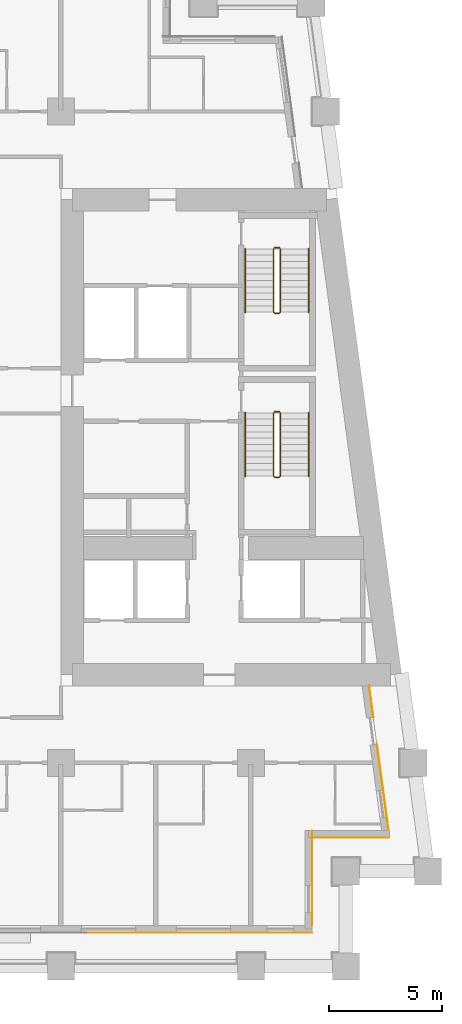
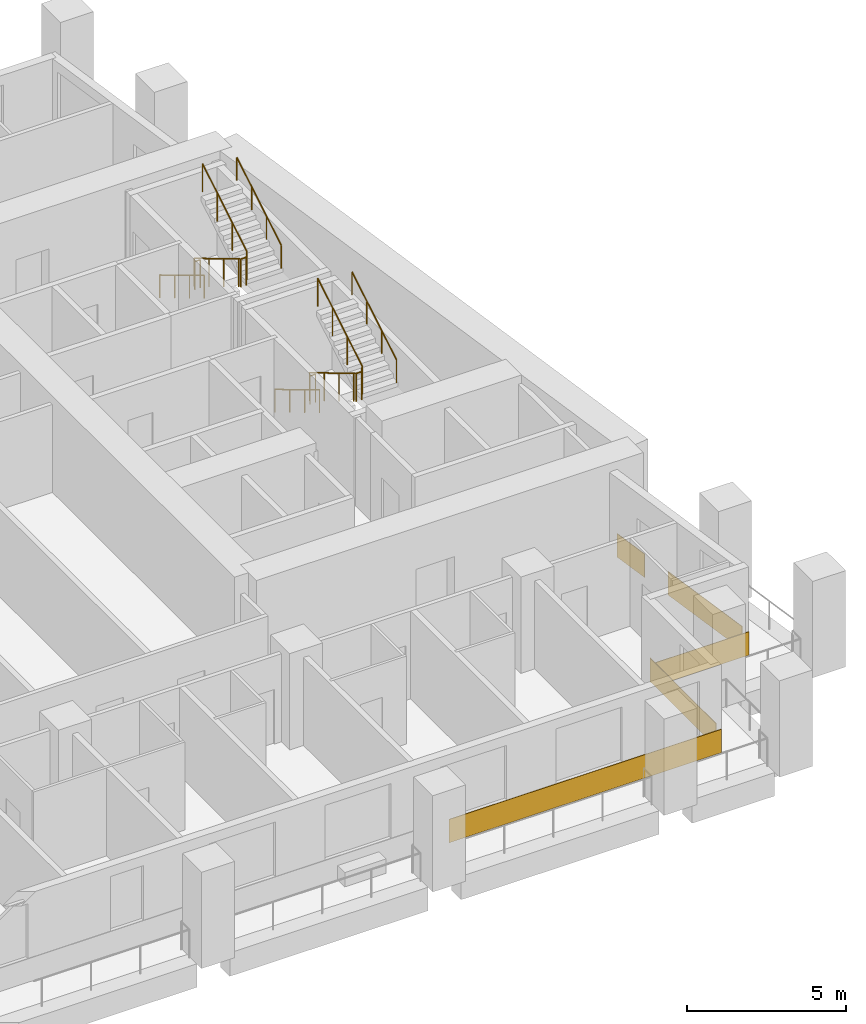
# One storey, part 12 of 14: 8 railings, 5 coverings.
"""IFC4 building model written with IfcOpenShell, lengths in metres."""

from ifc_helpers import new_model, si_unit, direction, frame, origin, origin_2d, place, context, subcontext, project, spatial, rectangle, circle, extrude, material, layer, layer_set, type_object, element, save


model = new_model("IFC4")

# Units and contexts
model_context = context("Model", 3, precision=1e-05, world=origin(), true_north=direction((0.0, 1.0)))
body_context = subcontext(model_context, "Body", "Model", "MODEL_VIEW")
ifc_project = project(units=[si_unit("LENGTHUNIT", "METRE"), si_unit("AREAUNIT", "SQUARE_METRE"), si_unit("VOLUMEUNIT", "CUBIC_METRE"), si_unit("PLANEANGLEUNIT", "RADIAN"), si_unit("MASSUNIT", "GRAM", prefix="KILO")], contexts=[model_context])

# Site, building, storey
site_placement = place(None, origin())
site = spatial("IfcSite", under=ifc_project, at=site_placement, CompositionType="ELEMENT")
building_placement = place(site_placement, origin())
building = spatial("IfcBuilding", under=site, at=building_placement, Name="Candeia Pilgrim Tower and Theatre", CompositionType="ELEMENT")
storey_placement = place(building_placement, frame((0.0, 0.0, 116.89990234375)))
storey = spatial("IfcBuildingStorey", under=building, at=storey_placement, Name="L27", CompositionType="ELEMENT", Elevation=116.89990234375)

# Coverings
ifc_material_1 = material(Name="Glazed ceramic tile red")
ifc_layer = layer(ifc_material_1, 0.02001953125)
ifc_layer_set = layer_set([ifc_layer], Name="Glazed ceramic tile red")
covering_type = type_object("IfcCoveringType", Name="Glazed ceramic tile red", PredefinedType="CLADDING", material=ifc_layer_set)
covering_1_placement = place(storey_placement, frame((132.14990234375, 99.489990234375, 0.000244140625), z_axis=(0.0, 0.0, 1.0), x_axis=(1.0, 0.0, 0.0)))
element("IfcCovering", 1, at=covering_1_placement, inside=storey, type_object=covering_type, Name="Tile cladding red L27", PredefinedType="CLADDING", context=body_context, shape_type="SweptSolid", body=[
    extrude(rectangle(XDim=9.89990234375, YDim=0.02001953125, at=origin_2d()), origin(), (0.0, 0.0, 1.0), 0.89990234375),
])
covering_2_placement = place(storey_placement, frame((137.110107421875, 101.909912109375, 0.000244140625), z_axis=(0.0, 0.0, 1.0), x_axis=(0.0, 1.0, 0.0)))
element("IfcCovering", 2, at=covering_2_placement, inside=storey, type_object=covering_type, Name="Tile cladding red L27", PredefinedType="CLADDING", context=body_context, shape_type="SweptSolid", body=[
    extrude(rectangle(XDim=4.179931640625, YDim=0.02001953125, at=origin_2d()), origin(), (0.0, 0.0, 1.0), 0.89990234375),
])
covering_3_placement = place(storey_placement, frame((138.819580078125, 103.68994140625, 0.000244140625), z_axis=(0.0, 0.0, 1.0), x_axis=(1.0, 0.0, 0.0)))
element("IfcCovering", 3, at=covering_3_placement, inside=storey, type_object=covering_type, Name="Tile cladding red L27", PredefinedType="CLADDING", context=body_context, shape_type="SweptSolid", body=[
    extrude(rectangle(XDim=3.399169921875, YDim=0.02001953125, at=origin_2d()), origin(), (0.0, 0.0, 1.0), 0.89990234375),
])
covering_4_placement = place(storey_placement, frame((140.228515625, 105.933349609375, 0.000244140625), z_axis=(0.0, 0.0, 1.0), x_axis=(-0.133412012145, 0.991060661622, 0.0)))
element("IfcCovering", 4, at=covering_4_placement, inside=storey, type_object=covering_type, Name="Tile cladding red L27", PredefinedType="CLADDING", context=body_context, shape_type="SweptSolid", body=[
    extrude(rectangle(XDim=3.821044921875, YDim=0.02001953125, at=origin_2d()), origin(), (0.0, 0.0, 1.0), 0.89990234375),
])
covering_5_placement = place(storey_placement, frame((139.718994140625, 109.71875, 0.000244140625), z_axis=(0.0, 0.0, 1.0), x_axis=(-0.133412012145, 0.991060661622, 0.0)))
element("IfcCovering", 5, at=covering_5_placement, inside=storey, type_object=covering_type, Name="Tile cladding red L27", PredefinedType="CLADDING", context=body_context, shape_type="SweptSolid", body=[
    extrude(rectangle(XDim=1.41796875, YDim=0.02001953125, at=origin_2d()), origin(), (0.0, 0.0, 1.0), 0.89990234375),
])

# Railings
ifc_material_2 = material(Name="Stainless steel balustrade", Category="steel")
railing_type_1 = type_object("IfcRailingType", Name="RL-GUARD-1100", PredefinedType="GUARDRAIL", material=ifc_material_2)
railing_1_placement = place(storey_placement, frame((135.39794921875, 122.47509765625, 0.168212890625)))
element("IfcRailing", 6, at=railing_1_placement, inside=storey, type_object=railing_type_1, Name="L27 ST3 stair guard 1", PredefinedType="GUARDRAIL", context=body_context, shape_type="SweptSolid", body=[
    extrude(circle(Radius=0.02392578125, at=origin_2d()), frame((0.0, 0.0, 1.076171875), z_axis=(0.0, -0.857242210791, 0.514913383045), x_axis=(1.0, 0.0, 0.0)), (0.0, 0.0, 1.0), 3.266357421875),
    extrude(circle(Radius=0.02392578125, at=origin_2d()), frame((0.0, -2.800048828125, 2.7578125), z_axis=(0.707106781187, -0.707106781187, 0.0), x_axis=(0.707106781187, 0.707106781187, 0.0)), (0.0, 0.0, 1.0), 0.07080078125),
    extrude(circle(Radius=0.02392578125, at=origin_2d()), frame((0.050048828125, -2.85009765625, 2.7578125), z_axis=(1.0, 0.0, 0.0), x_axis=(0.0, 1.0, 0.0)), (0.0, 0.0, 1.0), 0.199951171875),
    extrude(circle(Radius=0.02392578125, at=origin_2d()), frame((0.25, -2.85009765625, 2.7578125), z_axis=(0.274243871929, 0.274243871929, 0.92172696468), x_axis=(-0.707106781187, 0.707106781187, 0.0)), (0.0, 0.0, 1.0), 0.1826171875),
    extrude(circle(Radius=0.02392578125, at=origin_2d()), frame((0.300048828125, -2.800048828125, 2.92626953125), z_axis=(0.0, 0.857242210791, 0.514913383045), x_axis=(-1.0, 0.0, 0.0)), (0.0, 0.0, 1.0), 3.266357421875),
    extrude(circle(Radius=0.02099609375, at=origin_2d()), origin(), (0.0, 0.0, 1.0), 1.052001953125),
    extrude(circle(Radius=0.02099609375, at=origin_2d()), frame((0.0, -0.933349609375, 0.560546875)), (0.0, 0.0, 1.0), 1.052001953125),
    extrude(circle(Radius=0.02099609375, at=origin_2d()), frame((0.0, -1.86669921875, 1.121337890625)), (0.0, 0.0, 1.0), 1.052001953125),
    extrude(circle(Radius=0.02099609375, at=origin_2d()), frame((0.0, -2.800048828125, 1.681884765625)), (0.0, 0.0, 1.0), 1.052001953125),
    extrude(circle(Radius=0.02099609375, at=origin_2d()), frame((0.050048828125, -2.85009765625, 1.681884765625)), (0.0, 0.0, 1.0), 1.052001953125),
    extrude(circle(Radius=0.02099609375, at=origin_2d()), frame((0.25, -2.85009765625, 1.681884765625)), (0.0, 0.0, 1.0), 1.052001953125),
    extrude(circle(Radius=0.02099609375, at=origin_2d()), frame((0.300048828125, -2.800048828125, 1.85009765625)), (0.0, 0.0, 1.0), 1.052001953125),
    extrude(circle(Radius=0.02099609375, at=origin_2d()), frame((0.300048828125, -1.86669921875, 2.41064453125)), (0.0, 0.0, 1.0), 1.052001953125),
    extrude(circle(Radius=0.02099609375, at=origin_2d()), frame((0.300048828125, -0.933349609375, 2.971435546875)), (0.0, 0.0, 1.0), 1.052001953125),
    extrude(circle(Radius=0.02099609375, at=origin_2d()), frame((0.300048828125, 0.0, 3.531982421875)), (0.0, 0.0, 1.0), 1.052001953125),
])
railing_2_placement = place(storey_placement, frame((135.447998046875, 122.52490234375, 0.0)))
element("IfcRailing", 7, at=railing_2_placement, inside=storey, type_object=railing_type_1, Name="L27 ST3 stair guard 2", PredefinedType="GUARDRAIL", context=body_context, shape_type="SweptSolid", body=[
    extrude(circle(Radius=0.02392578125, at=origin_2d()), frame((0.0, 0.0, 1.076171875), z_axis=(1.0, 0.0, 0.0), x_axis=(0.0, 1.0, 0.0)), (0.0, 0.0, 1.0), 0.199951171875),
    extrude(circle(Radius=0.02099609375, at=origin_2d()), origin(), (0.0, 0.0, 1.0), 1.052001953125),
    extrude(circle(Radius=0.02099609375, at=origin_2d()), frame((0.199951171875, 0.0, 0.0)), (0.0, 0.0, 1.0), 1.052001953125),
])
railing_3_placement = place(storey_placement, frame((135.39794921875, 129.72509765625, 0.168212890625)))
element("IfcRailing", 8, at=railing_3_placement, inside=storey, type_object=railing_type_1, Name="L27 ST4 stair guard 1", PredefinedType="GUARDRAIL", context=body_context, shape_type="SweptSolid", body=[
    extrude(circle(Radius=0.02392578125, at=origin_2d()), frame((0.0, 0.0, 1.076171875), z_axis=(0.0, -0.857242210791, 0.514913383045), x_axis=(1.0, 0.0, 0.0)), (0.0, 0.0, 1.0), 3.266357421875),
    extrude(circle(Radius=0.02392578125, at=origin_2d()), frame((0.0, -2.800048828125, 2.7578125), z_axis=(0.707106781187, -0.707106781187, 0.0), x_axis=(0.707106781187, 0.707106781187, 0.0)), (0.0, 0.0, 1.0), 0.07080078125),
    extrude(circle(Radius=0.02392578125, at=origin_2d()), frame((0.050048828125, -2.85009765625, 2.7578125), z_axis=(1.0, 0.0, 0.0), x_axis=(0.0, 1.0, 0.0)), (0.0, 0.0, 1.0), 0.199951171875),
    extrude(circle(Radius=0.02392578125, at=origin_2d()), frame((0.25, -2.85009765625, 2.7578125), z_axis=(0.274243871929, 0.274243871929, 0.92172696468), x_axis=(-0.707106781187, 0.707106781187, 0.0)), (0.0, 0.0, 1.0), 0.1826171875),
    extrude(circle(Radius=0.02392578125, at=origin_2d()), frame((0.300048828125, -2.800048828125, 2.92626953125), z_axis=(0.0, 0.857242210791, 0.514913383045), x_axis=(-1.0, 0.0, 0.0)), (0.0, 0.0, 1.0), 3.266357421875),
    extrude(circle(Radius=0.02099609375, at=origin_2d()), origin(), (0.0, 0.0, 1.0), 1.052001953125),
    extrude(circle(Radius=0.02099609375, at=origin_2d()), frame((0.0, -0.933349609375, 0.560546875)), (0.0, 0.0, 1.0), 1.052001953125),
    extrude(circle(Radius=0.02099609375, at=origin_2d()), frame((0.0, -1.86669921875, 1.121337890625)), (0.0, 0.0, 1.0), 1.052001953125),
    extrude(circle(Radius=0.02099609375, at=origin_2d()), frame((0.0, -2.800048828125, 1.681884765625)), (0.0, 0.0, 1.0), 1.052001953125),
    extrude(circle(Radius=0.02099609375, at=origin_2d()), frame((0.050048828125, -2.85009765625, 1.681884765625)), (0.0, 0.0, 1.0), 1.052001953125),
    extrude(circle(Radius=0.02099609375, at=origin_2d()), frame((0.25, -2.85009765625, 1.681884765625)), (0.0, 0.0, 1.0), 1.052001953125),
    extrude(circle(Radius=0.02099609375, at=origin_2d()), frame((0.300048828125, -2.800048828125, 1.85009765625)), (0.0, 0.0, 1.0), 1.052001953125),
    extrude(circle(Radius=0.02099609375, at=origin_2d()), frame((0.300048828125, -1.86669921875, 2.41064453125)), (0.0, 0.0, 1.0), 1.052001953125),
    extrude(circle(Radius=0.02099609375, at=origin_2d()), frame((0.300048828125, -0.933349609375, 2.971435546875)), (0.0, 0.0, 1.0), 1.052001953125),
    extrude(circle(Radius=0.02099609375, at=origin_2d()), frame((0.300048828125, 0.0, 3.531982421875)), (0.0, 0.0, 1.0), 1.052001953125),
])
railing_4_placement = place(storey_placement, frame((135.447998046875, 129.77490234375, 0.0)))
element("IfcRailing", 9, at=railing_4_placement, inside=storey, type_object=railing_type_1, Name="L27 ST4 stair guard 2", PredefinedType="GUARDRAIL", context=body_context, shape_type="SweptSolid", body=[
    extrude(circle(Radius=0.02392578125, at=origin_2d()), frame((0.0, 0.0, 1.076171875), z_axis=(1.0, 0.0, 0.0), x_axis=(0.0, 1.0, 0.0)), (0.0, 0.0, 1.0), 0.199951171875),
    extrude(circle(Radius=0.02099609375, at=origin_2d()), origin(), (0.0, 0.0, 1.0), 1.052001953125),
    extrude(circle(Radius=0.02099609375, at=origin_2d()), frame((0.199951171875, 0.0, 0.0)), (0.0, 0.0, 1.0), 1.052001953125),
])
ifc_material_3 = material(Name="Stainless steel handrail", Category="steel")
railing_type_2 = type_object("IfcRailingType", Name="RL-HANDRAIL-900", PredefinedType="HANDRAIL", material=ifc_material_3)
railing_5_placement = place(storey_placement, frame((134.14794921875, 122.47509765625, 0.168212890625)))
element("IfcRailing", 10, at=railing_5_placement, inside=storey, type_object=railing_type_2, Name="L27 ST3 stair handrail 1", PredefinedType="HANDRAIL", context=body_context, shape_type="SweptSolid", body=[
    extrude(circle(Radius=0.02392578125, at=origin_2d()), frame((0.0, 0.0, 0.8759765625), z_axis=(0.0, -0.857242210791, 0.514913383045), x_axis=(1.0, 0.0, 0.0)), (0.0, 0.0, 1.0), 3.266357421875),
    extrude(circle(Radius=0.02099609375, at=origin_2d()), origin(), (0.0, 0.0, 1.0), 0.851806640625),
    extrude(circle(Radius=0.02099609375, at=origin_2d()), frame((0.0, -0.933349609375, 0.560546875)), (0.0, 0.0, 1.0), 0.851806640625),
    extrude(circle(Radius=0.02099609375, at=origin_2d()), frame((0.0, -1.86669921875, 1.121337890625)), (0.0, 0.0, 1.0), 0.851806640625),
    extrude(circle(Radius=0.02099609375, at=origin_2d()), frame((0.0, -2.800048828125, 1.681884765625)), (0.0, 0.0, 1.0), 0.851806640625),
])
railing_6_placement = place(storey_placement, frame((136.947998046875, 119.675048828125, 2.018310546875)))
element("IfcRailing", 11, at=railing_6_placement, inside=storey, type_object=railing_type_2, Name="L27 ST3 stair handrail 2", PredefinedType="HANDRAIL", context=body_context, shape_type="SweptSolid", body=[
    extrude(circle(Radius=0.02392578125, at=origin_2d()), frame((0.0, 0.0, 0.8759765625), z_axis=(0.0, 0.857242210791, 0.514913383045), x_axis=(-1.0, 0.0, 0.0)), (0.0, 0.0, 1.0), 3.266357421875),
    extrude(circle(Radius=0.02099609375, at=origin_2d()), origin(), (0.0, 0.0, 1.0), 0.851806640625),
    extrude(circle(Radius=0.02099609375, at=origin_2d()), frame((0.0, 0.933349609375, 0.560546875)), (0.0, 0.0, 1.0), 0.851806640625),
    extrude(circle(Radius=0.02099609375, at=origin_2d()), frame((0.0, 1.86669921875, 1.121337890625)), (0.0, 0.0, 1.0), 0.851806640625),
    extrude(circle(Radius=0.02099609375, at=origin_2d()), frame((0.0, 2.800048828125, 1.681884765625)), (0.0, 0.0, 1.0), 0.851806640625),
])
railing_7_placement = place(storey_placement, frame((134.14794921875, 129.72509765625, 0.168212890625)))
element("IfcRailing", 12, at=railing_7_placement, inside=storey, type_object=railing_type_2, Name="L27 ST4 stair handrail 1", PredefinedType="HANDRAIL", context=body_context, shape_type="SweptSolid", body=[
    extrude(circle(Radius=0.02392578125, at=origin_2d()), frame((0.0, 0.0, 0.8759765625), z_axis=(0.0, -0.857242210791, 0.514913383045), x_axis=(1.0, 0.0, 0.0)), (0.0, 0.0, 1.0), 3.266357421875),
    extrude(circle(Radius=0.02099609375, at=origin_2d()), origin(), (0.0, 0.0, 1.0), 0.851806640625),
    extrude(circle(Radius=0.02099609375, at=origin_2d()), frame((0.0, -0.933349609375, 0.560546875)), (0.0, 0.0, 1.0), 0.851806640625),
    extrude(circle(Radius=0.02099609375, at=origin_2d()), frame((0.0, -1.86669921875, 1.121337890625)), (0.0, 0.0, 1.0), 0.851806640625),
    extrude(circle(Radius=0.02099609375, at=origin_2d()), frame((0.0, -2.800048828125, 1.681884765625)), (0.0, 0.0, 1.0), 0.851806640625),
])
railing_8_placement = place(storey_placement, frame((136.947998046875, 126.925048828125, 2.018310546875)))
element("IfcRailing", 13, at=railing_8_placement, inside=storey, type_object=railing_type_2, Name="L27 ST4 stair handrail 2", PredefinedType="HANDRAIL", context=body_context, shape_type="SweptSolid", body=[
    extrude(circle(Radius=0.02392578125, at=origin_2d()), frame((0.0, 0.0, 0.8759765625), z_axis=(0.0, 0.857242210791, 0.514913383045), x_axis=(-1.0, 0.0, 0.0)), (0.0, 0.0, 1.0), 3.266357421875),
    extrude(circle(Radius=0.02099609375, at=origin_2d()), origin(), (0.0, 0.0, 1.0), 0.851806640625),
    extrude(circle(Radius=0.02099609375, at=origin_2d()), frame((0.0, 0.933349609375, 0.560546875)), (0.0, 0.0, 1.0), 0.851806640625),
    extrude(circle(Radius=0.02099609375, at=origin_2d()), frame((0.0, 1.86669921875, 1.121337890625)), (0.0, 0.0, 1.0), 0.851806640625),
    extrude(circle(Radius=0.02099609375, at=origin_2d()), frame((0.0, 2.800048828125, 1.681884765625)), (0.0, 0.0, 1.0), 0.851806640625),
])

save(model, "model.ifc")
